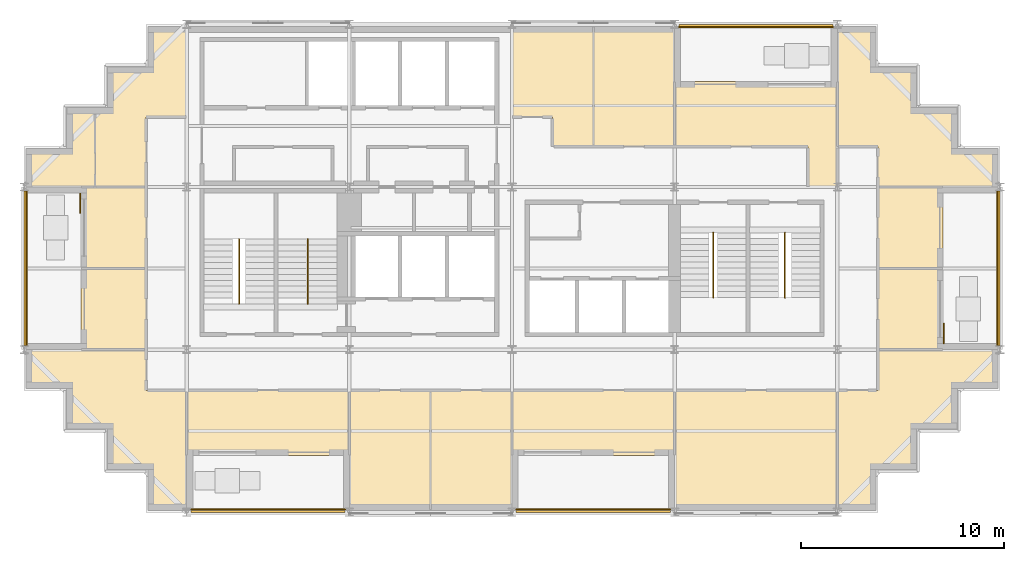
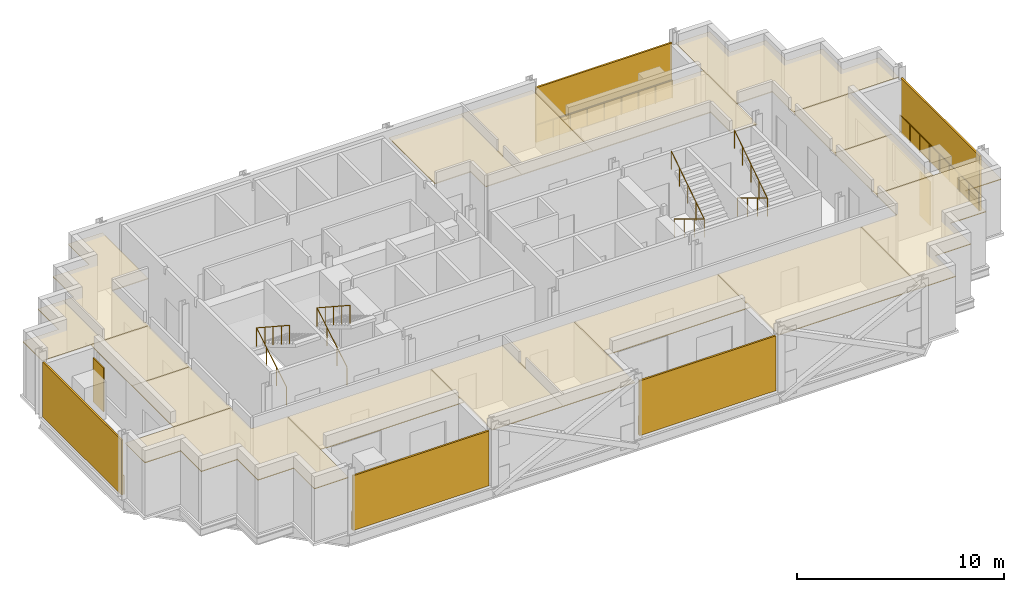
# One storey, part 9 of 10: 17 coverings, 9 railings, 7 shading devices.
"""IFC4 building model written with IfcOpenShell, lengths in metres."""

from ifc_helpers import new_model, si_unit, direction, frame, origin, origin_2d, place, context, subcontext, project, spatial, polyline, rectangle, circle, outline, extrude, material, layer, layer_set, type_object, element, save


model = new_model("IFC4")

# Units and contexts
model_context = context("Model", 3, precision=1e-05, world=origin(), true_north=direction((0.0, 1.0)))
body_context = subcontext(model_context, "Body", "Model", "MODEL_VIEW")
ifc_project = project(units=[si_unit("LENGTHUNIT", "METRE"), si_unit("AREAUNIT", "SQUARE_METRE"), si_unit("VOLUMEUNIT", "CUBIC_METRE"), si_unit("PLANEANGLEUNIT", "RADIAN"), si_unit("MASSUNIT", "GRAM", prefix="KILO")], contexts=[model_context])

# Site, building, storey
site_placement = place(None, origin())
site = spatial("IfcSite", under=ifc_project, at=site_placement, CompositionType="ELEMENT")
building_placement = place(site_placement, origin())
building = spatial("IfcBuilding", under=site, at=building_placement, Name="Immortelle Media Tower", CompositionType="ELEMENT")
storey_placement = place(building_placement, frame((0.0, 0.0, 217.0)))
storey = spatial("IfcBuildingStorey", under=building, at=storey_placement, Name="L46", CompositionType="ELEMENT", Elevation=217.0)

# Railings
ifc_material_1 = material(Name="Powder-coated aluminium fretwork panel, laminated glass backing", Category="aluminium")
railing_type_1 = type_object("IfcRailingType", Name="Fretwork balustrade 1100", PredefinedType="BALUSTRADE", material=ifc_material_1)
railing_1_placement = place(storey_placement, frame((8.199462890625, 0.139892578125, 0.0)))
element("IfcRailing", 1, at=railing_1_placement, inside=storey, type_object=railing_type_1, Name="Fretwork balustrade L46 S0", PredefinedType="BALUSTRADE", context=body_context, shape_type="SweptSolid", body=[
    extrude(circle(Radius=0.02490234375, at=origin_2d()), frame((0.0, 0.0, 1.0751953125), z_axis=(1.0, 0.0, 0.0), x_axis=(0.0, 1.0, 0.0)), (0.0, 0.0, 1.0), 7.59765625),
    extrude(circle(Radius=0.02001953125, at=origin_2d()), origin(), (0.0, 0.0, 1.0), 1.050048828125),
    extrude(circle(Radius=0.02001953125, at=origin_2d()), frame((0.94970703125, 0.0, 0.0)), (0.0, 0.0, 1.0), 1.050048828125),
    extrude(circle(Radius=0.02001953125, at=origin_2d()), frame((1.8994140625, 0.0, 0.0)), (0.0, 0.0, 1.0), 1.050048828125),
    extrude(circle(Radius=0.02001953125, at=origin_2d()), frame((2.84912109375, 0.0, 0.0)), (0.0, 0.0, 1.0), 1.050048828125),
    extrude(circle(Radius=0.02001953125, at=origin_2d()), frame((3.798828125, 0.0, 0.0)), (0.0, 0.0, 1.0), 1.050048828125),
    extrude(circle(Radius=0.02001953125, at=origin_2d()), frame((4.74853515625, 0.0, 0.0)), (0.0, 0.0, 1.0), 1.050048828125),
    extrude(circle(Radius=0.02001953125, at=origin_2d()), frame((5.6982421875, 0.0, 0.0)), (0.0, 0.0, 1.0), 1.050048828125),
    extrude(circle(Radius=0.02001953125, at=origin_2d()), frame((6.64794921875, 0.0, 0.0)), (0.0, 0.0, 1.0), 1.050048828125),
    extrude(circle(Radius=0.02001953125, at=origin_2d()), frame((7.59765625, 0.0, 0.0)), (0.0, 0.0, 1.0), 1.050048828125),
])
railing_2_placement = place(storey_placement, frame((24.202880859375, 0.139892578125, 0.0)))
element("IfcRailing", 2, at=railing_2_placement, inside=storey, type_object=railing_type_1, Name="Fretwork balustrade L46 S2", PredefinedType="BALUSTRADE", context=body_context, shape_type="SweptSolid", body=[
    extrude(circle(Radius=0.02490234375, at=origin_2d()), frame((0.0, 0.0, 1.0751953125), z_axis=(1.0, 0.0, 0.0), x_axis=(0.0, 1.0, 0.0)), (0.0, 0.0, 1.0), 7.59423828125),
    extrude(circle(Radius=0.02001953125, at=origin_2d()), origin(), (0.0, 0.0, 1.0), 1.050048828125),
    extrude(circle(Radius=0.02001953125, at=origin_2d()), frame((0.94921875, 0.0, 0.0)), (0.0, 0.0, 1.0), 1.050048828125),
    extrude(circle(Radius=0.02001953125, at=origin_2d()), frame((1.8984375, 0.0, 0.0)), (0.0, 0.0, 1.0), 1.050048828125),
    extrude(circle(Radius=0.02001953125, at=origin_2d()), frame((2.847900390625, 0.0, 0.0)), (0.0, 0.0, 1.0), 1.050048828125),
    extrude(circle(Radius=0.02001953125, at=origin_2d()), frame((3.797119140625, 0.0, 0.0)), (0.0, 0.0, 1.0), 1.050048828125),
    extrude(circle(Radius=0.02001953125, at=origin_2d()), frame((4.746337890625, 0.0, 0.0)), (0.0, 0.0, 1.0), 1.050048828125),
    extrude(circle(Radius=0.02001953125, at=origin_2d()), frame((5.69580078125, 0.0, 0.0)), (0.0, 0.0, 1.0), 1.050048828125),
    extrude(circle(Radius=0.02001953125, at=origin_2d()), frame((6.64501953125, 0.0, 0.0)), (0.0, 0.0, 1.0), 1.050048828125),
    extrude(circle(Radius=0.02001953125, at=origin_2d()), frame((7.59423828125, 0.0, 0.0)), (0.0, 0.0, 1.0), 1.050048828125),
])
railing_3_placement = place(storey_placement, frame((47.860107421875, 8.193115234375, 0.0)))
element("IfcRailing", 3, at=railing_3_placement, inside=storey, type_object=railing_type_1, Name="Fretwork balustrade L46 E0", PredefinedType="BALUSTRADE", context=body_context, shape_type="SweptSolid", body=[
    extrude(circle(Radius=0.02490234375, at=origin_2d()), frame((0.0, 0.0, 1.0751953125), z_axis=(0.0, 1.0, 0.0), x_axis=(-1.0, 0.0, 0.0)), (0.0, 0.0, 1.0), 7.61376953125),
    extrude(circle(Radius=0.02001953125, at=origin_2d()), origin(), (0.0, 0.0, 1.0), 1.050048828125),
    extrude(circle(Radius=0.02001953125, at=origin_2d()), frame((0.0, 0.95166015625, 0.0)), (0.0, 0.0, 1.0), 1.050048828125),
    extrude(circle(Radius=0.02001953125, at=origin_2d()), frame((0.0, 1.9033203125, 0.0)), (0.0, 0.0, 1.0), 1.050048828125),
    extrude(circle(Radius=0.02001953125, at=origin_2d()), frame((0.0, 2.855224609375, 0.0)), (0.0, 0.0, 1.0), 1.050048828125),
    extrude(circle(Radius=0.02001953125, at=origin_2d()), frame((0.0, 3.806884765625, 0.0)), (0.0, 0.0, 1.0), 1.050048828125),
    extrude(circle(Radius=0.02001953125, at=origin_2d()), frame((0.0, 4.758544921875, 0.0)), (0.0, 0.0, 1.0), 1.050048828125),
    extrude(circle(Radius=0.02001953125, at=origin_2d()), frame((0.0, 5.71044921875, 0.0)), (0.0, 0.0, 1.0), 1.050048828125),
    extrude(circle(Radius=0.02001953125, at=origin_2d()), frame((0.0, 6.662109375, 0.0)), (0.0, 0.0, 1.0), 1.050048828125),
    extrude(circle(Radius=0.02001953125, at=origin_2d()), frame((0.0, 7.61376953125, 0.0)), (0.0, 0.0, 1.0), 1.050048828125),
])
railing_4_placement = place(storey_placement, frame((39.800537109375, 23.860107421875, 0.0)))
element("IfcRailing", 4, at=railing_4_placement, inside=storey, type_object=railing_type_1, Name="Fretwork balustrade L46 N0", PredefinedType="BALUSTRADE", context=body_context, shape_type="SweptSolid", body=[
    extrude(circle(Radius=0.02490234375, at=origin_2d()), frame((0.0, 0.0, 1.0751953125), z_axis=(-1.0, 0.0, 0.0), x_axis=(0.0, -1.0, 0.0)), (0.0, 0.0, 1.0), 7.59765625),
    extrude(circle(Radius=0.02001953125, at=origin_2d()), origin(), (0.0, 0.0, 1.0), 1.050048828125),
    extrude(circle(Radius=0.02001953125, at=origin_2d()), frame((-0.94970703125, 0.0, 0.0)), (0.0, 0.0, 1.0), 1.050048828125),
    extrude(circle(Radius=0.02001953125, at=origin_2d()), frame((-1.8994140625, 0.0, 0.0)), (0.0, 0.0, 1.0), 1.050048828125),
    extrude(circle(Radius=0.02001953125, at=origin_2d()), frame((-2.84912109375, 0.0, 0.0)), (0.0, 0.0, 1.0), 1.050048828125),
    extrude(circle(Radius=0.02001953125, at=origin_2d()), frame((-3.798828125, 0.0, 0.0)), (0.0, 0.0, 1.0), 1.050048828125),
    extrude(circle(Radius=0.02001953125, at=origin_2d()), frame((-4.74853515625, 0.0, 0.0)), (0.0, 0.0, 1.0), 1.050048828125),
    extrude(circle(Radius=0.02001953125, at=origin_2d()), frame((-5.6982421875, 0.0, 0.0)), (0.0, 0.0, 1.0), 1.050048828125),
    extrude(circle(Radius=0.02001953125, at=origin_2d()), frame((-6.64794921875, 0.0, 0.0)), (0.0, 0.0, 1.0), 1.050048828125),
    extrude(circle(Radius=0.02001953125, at=origin_2d()), frame((-7.59765625, 0.0, 0.0)), (0.0, 0.0, 1.0), 1.050048828125),
])
railing_5_placement = place(storey_placement, frame((0.139892578125, 15.806884765625, 0.0)))
element("IfcRailing", 5, at=railing_5_placement, inside=storey, type_object=railing_type_1, Name="Fretwork balustrade L46 W0", PredefinedType="BALUSTRADE", context=body_context, shape_type="SweptSolid", body=[
    extrude(circle(Radius=0.02490234375, at=origin_2d()), frame((0.0, 0.0, 1.0751953125), z_axis=(0.0, -1.0, 0.0), x_axis=(1.0, 0.0, 0.0)), (0.0, 0.0, 1.0), 7.61376953125),
    extrude(circle(Radius=0.02001953125, at=origin_2d()), origin(), (0.0, 0.0, 1.0), 1.050048828125),
    extrude(circle(Radius=0.02001953125, at=origin_2d()), frame((0.0, -0.95166015625, 0.0)), (0.0, 0.0, 1.0), 1.050048828125),
    extrude(circle(Radius=0.02001953125, at=origin_2d()), frame((0.0, -1.9033203125, 0.0)), (0.0, 0.0, 1.0), 1.050048828125),
    extrude(circle(Radius=0.02001953125, at=origin_2d()), frame((0.0, -2.855224609375, 0.0)), (0.0, 0.0, 1.0), 1.050048828125),
    extrude(circle(Radius=0.02001953125, at=origin_2d()), frame((0.0, -3.806884765625, 0.0)), (0.0, 0.0, 1.0), 1.050048828125),
    extrude(circle(Radius=0.02001953125, at=origin_2d()), frame((0.0, -4.758544921875, 0.0)), (0.0, 0.0, 1.0), 1.050048828125),
    extrude(circle(Radius=0.02001953125, at=origin_2d()), frame((0.0, -5.71044921875, 0.0)), (0.0, 0.0, 1.0), 1.050048828125),
    extrude(circle(Radius=0.02001953125, at=origin_2d()), frame((0.0, -6.662109375, 0.0)), (0.0, 0.0, 1.0), 1.050048828125),
    extrude(circle(Radius=0.02001953125, at=origin_2d()), frame((0.0, -7.61376953125, 0.0)), (0.0, 0.0, 1.0), 1.050048828125),
])

# Shading devices
ifc_material_2 = material(Name="Pale aluminium louvre blades", Category="aluminium")
ifc_layer_1 = layer(ifc_material_2, 0.10009765625)
ifc_layer_set_1 = layer_set([ifc_layer_1], Name="Pale aluminium louvre blades")
shading_device_type_1 = type_object("IfcShadingDeviceType", Name="Jalousie screen 100", PredefinedType="JALOUSIE", material=ifc_layer_set_1)
shading_device_1_placement = place(storey_placement, frame((11.998291015625, 0.050048828125, 0.0), z_axis=(0.0, 0.0, 1.0), x_axis=(1.0, 0.0, 0.0)))
element("IfcShadingDevice", 6, at=shading_device_1_placement, inside=storey, type_object=shading_device_type_1, Name="Jalousie screen L46 S0", PredefinedType="JALOUSIE", context=body_context, shape_type="SweptSolid", body=[
    extrude(rectangle(XDim=7.597412109375, YDim=0.10009765625, at=origin_2d()), origin(), (0.0, 0.0, 1.0), 3.238037109375),
])
shading_device_2_placement = place(storey_placement, frame((28.0, 0.050048828125, 0.0), z_axis=(0.0, 0.0, 1.0), x_axis=(1.0, 0.0, 0.0)))
element("IfcShadingDevice", 7, at=shading_device_2_placement, inside=storey, type_object=shading_device_type_1, Name="Jalousie screen L46 S2", PredefinedType="JALOUSIE", context=body_context, shape_type="SweptSolid", body=[
    extrude(rectangle(XDim=7.593994140625, YDim=0.10009765625, at=origin_2d()), origin(), (0.0, 0.0, 1.0), 3.238037109375),
])
shading_device_3_placement = place(storey_placement, frame((47.949951171875, 12.0, 0.0), z_axis=(0.0, 0.0, 1.0), x_axis=(0.0, 1.0, 0.0)))
element("IfcShadingDevice", 8, at=shading_device_3_placement, inside=storey, type_object=shading_device_type_1, Name="Jalousie screen L46 E0", PredefinedType="JALOUSIE", context=body_context, shape_type="SweptSolid", body=[
    extrude(rectangle(XDim=7.614013671875, YDim=0.10009765625, at=origin_2d()), origin(), (0.0, 0.0, 1.0), 3.238037109375),
])
shading_device_4_placement = place(storey_placement, frame((36.001708984375, 23.949951171875, 0.0), z_axis=(0.0, 0.0, 1.0), x_axis=(-1.0, 0.0, 0.0)))
element("IfcShadingDevice", 9, at=shading_device_4_placement, inside=storey, type_object=shading_device_type_1, Name="Jalousie screen L46 N0", PredefinedType="JALOUSIE", context=body_context, shape_type="SweptSolid", body=[
    extrude(rectangle(XDim=7.597412109375, YDim=0.10009765625, at=origin_2d()), origin(), (0.0, 0.0, 1.0), 3.238037109375),
])
shading_device_5_placement = place(storey_placement, frame((0.050048828125, 12.0, 0.0), z_axis=(0.0, 0.0, 1.0), x_axis=(0.0, -1.0, 0.0)))
element("IfcShadingDevice", 10, at=shading_device_5_placement, inside=storey, type_object=shading_device_type_1, Name="Jalousie screen L46 W0", PredefinedType="JALOUSIE", context=body_context, shape_type="SweptSolid", body=[
    extrude(rectangle(XDim=7.614013671875, YDim=0.10009765625, at=origin_2d()), origin(), (0.0, 0.0, 1.0), 3.238037109375),
])
ifc_material_3 = material(Name="Pale aluminium louvre blades in a folding frame", Category="aluminium")
ifc_layer_2 = layer(ifc_material_3, 0.050048828125)
ifc_layer_set_2 = layer_set([ifc_layer_2], Name="Pale aluminium louvre blades in a folding frame")
shading_device_type_2 = type_object("IfcShadingDeviceType", Name="Louvred loggia shutter", PredefinedType="SHUTTER", material=ifc_layer_set_2)
for number, where, z_axis, x_axis, name in (
    (11, (45.22509765625, 8.800048828125, 0.0), (0.0, 0.0, 1.0), (0.0, 1.0, 0.0), "Loggia shutter L46 E0"),
    (12, (2.77490234375, 15.199951171875, 0.0), (0.0, 0.0, 1.0), (0.0, -1.0, 0.0), "Loggia shutter L46 W0"),
):
    element("IfcShadingDevice", number, at=place(storey_placement, frame(where, z_axis=z_axis, x_axis=x_axis)), inside=storey, type_object=shading_device_type_2, Name=name, PredefinedType="SHUTTER", context=body_context, shape_type="SweptSolid", body=[
        extrude(rectangle(XDim=1.0, YDim=0.050048828125, at=origin_2d()), origin(), (0.0, 0.0, 1.0), 2.60009765625),
    ])

# Railings
ifc_material_4 = material(Name="Stainless steel AISI 316", Category="steel")
railing_type_2 = type_object("IfcRailingType", Name="Stair guard 1100", PredefinedType="GUARDRAIL", material=ifc_material_4)
for number, where, name in (
    (13, (10.574951171875, 10.5400390625, 0.173828125), "Stair guard SW1"),
    (14, (13.949951171875, 10.5400390625, 0.173828125), "Stair guard SW2"),
):
    element("IfcRailing", number, at=place(storey_placement, frame(where)), inside=storey, type_object=railing_type_2, Name=name, PredefinedType="GUARDRAIL", context=body_context, shape_type="SweptSolid", body=[
        extrude(circle(Radius=0.02392578125, at=origin_2d()), frame((0.0, 0.0, 1.076171875), z_axis=(0.0, 0.857582100076, 0.514347102285), x_axis=(-1.0, 0.0, 0.0)), (0.0, 0.0, 1.0), 3.381591796875),
        extrude(circle(Radius=0.02392578125, at=origin_2d()), frame((0.0, 2.89990234375, 2.8154296875), z_axis=(0.0, -0.836827423118, 0.547466769693), x_axis=(1.0, 0.0, 0.0)), (0.0, 0.0, 1.0), 3.81201171875),
        extrude(circle(Radius=0.02099609375, at=origin_2d()), origin(), (0.0, 0.0, 1.0), 1.052001953125),
        extrude(circle(Radius=0.02099609375, at=origin_2d()), frame((0.0, 0.966552734375, 0.579833984375)), (0.0, 0.0, 1.0), 1.052001953125),
        extrude(circle(Radius=0.02099609375, at=origin_2d()), frame((0.0, 1.933349609375, 1.159423828125)), (0.0, 0.0, 1.0), 1.052001953125),
        extrude(circle(Radius=0.02099609375, at=origin_2d()), frame((0.0, 2.89990234375, 1.7392578125)), (0.0, 0.0, 1.0), 1.052001953125),
        extrude(circle(Radius=0.02099609375, at=origin_2d()), frame((0.0, 2.1025390625, 2.260986328125)), (0.0, 0.0, 1.0), 1.052001953125),
        extrude(circle(Radius=0.02099609375, at=origin_2d()), frame((0.0, 1.304931640625, 2.78271484375)), (0.0, 0.0, 1.0), 1.052001953125),
        extrude(circle(Radius=0.02099609375, at=origin_2d()), frame((0.0, 0.50732421875, 3.304443359375)), (0.0, 0.0, 1.0), 1.052001953125),
        extrude(circle(Radius=0.02099609375, at=origin_2d()), frame((0.0, -0.2900390625, 3.826171875)), (0.0, 0.0, 1.0), 1.052001953125),
    ])
for number, where, name in (
    (15, (33.89990234375, 13.4599609375, 0.173828125), "Stair guard SE1"),
    (16, (37.425048828125, 13.4599609375, 0.173828125), "Stair guard SE2"),
):
    element("IfcRailing", number, at=place(storey_placement, frame(where)), inside=storey, type_object=railing_type_2, Name=name, PredefinedType="GUARDRAIL", context=body_context, shape_type="SweptSolid", body=[
        extrude(circle(Radius=0.02392578125, at=origin_2d()), frame((0.0, 0.0, 1.076171875), z_axis=(0.0, -0.857582100076, 0.514347102285), x_axis=(1.0, 0.0, 0.0)), (0.0, 0.0, 1.0), 3.381591796875),
        extrude(circle(Radius=0.02392578125, at=origin_2d()), frame((0.0, -2.89990234375, 2.8154296875), z_axis=(0.0, 0.836827423118, 0.547466769693), x_axis=(-1.0, 0.0, 0.0)), (0.0, 0.0, 1.0), 3.81201171875),
        extrude(circle(Radius=0.02099609375, at=origin_2d()), origin(), (0.0, 0.0, 1.0), 1.052001953125),
        extrude(circle(Radius=0.02099609375, at=origin_2d()), frame((0.0, -0.966552734375, 0.579833984375)), (0.0, 0.0, 1.0), 1.052001953125),
        extrude(circle(Radius=0.02099609375, at=origin_2d()), frame((0.0, -1.933349609375, 1.159423828125)), (0.0, 0.0, 1.0), 1.052001953125),
        extrude(circle(Radius=0.02099609375, at=origin_2d()), frame((0.0, -2.89990234375, 1.7392578125)), (0.0, 0.0, 1.0), 1.052001953125),
        extrude(circle(Radius=0.02099609375, at=origin_2d()), frame((0.0, -2.1025390625, 2.260986328125)), (0.0, 0.0, 1.0), 1.052001953125),
        extrude(circle(Radius=0.02099609375, at=origin_2d()), frame((0.0, -1.304931640625, 2.78271484375)), (0.0, 0.0, 1.0), 1.052001953125),
        extrude(circle(Radius=0.02099609375, at=origin_2d()), frame((0.0, -0.50732421875, 3.304443359375)), (0.0, 0.0, 1.0), 1.052001953125),
        extrude(circle(Radius=0.02099609375, at=origin_2d()), frame((0.0, 0.2900390625, 3.826171875)), (0.0, 0.0, 1.0), 1.052001953125),
    ])

# Coverings
ifc_material_5 = material(Name="Mineral fibre tile ceiling")
ifc_layer_3 = layer(ifc_material_5, 0.050048828125)
ifc_layer_set_3 = layer_set([ifc_layer_3], Name="Mineral fibre tile ceiling")
covering_type = type_object("IfcCoveringType", Name="Suspended ceiling 50", PredefinedType="CEILING", material=ifc_layer_set_3)
covering_1_placement = place(storey_placement, frame((0.0, 0.0, 3.1220703125)))
element("IfcCovering", 17, at=covering_1_placement, inside=storey, type_object=covering_type, Name="Ceiling L46-001", PredefinedType="CEILING", context=body_context, shape_type="SweptSolid", body=[
    extrude(outline(polyline([(16.0, 2.800048828125), (16.0, 6.0), (20.0, 6.0), (20.0, 0.10009765625), (16.0, 0.10009765625), (16.0, 2.800048828125)])), origin(), (0.0, 0.0, 1.0), 0.050048828125),
])
covering_2_placement = place(storey_placement, frame((0.0, 0.0, 3.1220703125)))
element("IfcCovering", 18, at=covering_2_placement, inside=storey, type_object=covering_type, Name="Ceiling L46-002", PredefinedType="CEILING", context=body_context, shape_type="SweptSolid", body=[
    extrude(outline(polyline([(24.0, 6.0), (24.0, 2.800048828125), (24.0, 0.10009765625), (20.0, 0.10009765625), (20.0, 6.0), (24.0, 6.0)])), origin(), (0.0, 0.0, 1.0), 0.050048828125),
])
covering_3_placement = place(storey_placement, frame((0.0, 0.0, 3.1220703125)))
element("IfcCovering", 19, at=covering_3_placement, inside=storey, type_object=covering_type, Name="Ceiling L46-003", PredefinedType="CEILING", context=body_context, shape_type="SweptSolid", body=[
    extrude(outline(polyline([(32.0, 0.10009765625), (32.0, 2.800048828125), (32.0, 6.0), (40.0, 6.0), (40.0, 0.10009765625), (32.0, 0.10009765625)])), origin(), (0.0, 0.0, 1.0), 0.050048828125),
])
covering_4_placement = place(storey_placement, frame((0.0, 0.0, 3.1220703125)))
element("IfcCovering", 20, at=covering_4_placement, inside=storey, type_object=covering_type, Name="Ceiling L46-004", PredefinedType="CEILING", context=body_context, shape_type="SweptSolid", body=[
    extrude(outline(polyline([(8.0, 2.800048828125), (8.0, 6.0), (16.0, 6.0), (16.0, 2.800048828125), (8.0, 2.800048828125)])), origin(), (0.0, 0.0, 1.0), 0.050048828125),
])
covering_5_placement = place(storey_placement, frame((0.0, 0.0, 3.1220703125)))
element("IfcCovering", 21, at=covering_5_placement, inside=storey, type_object=covering_type, Name="Ceiling L46-005", PredefinedType="CEILING", context=body_context, shape_type="SweptSolid", body=[
    extrude(outline(polyline([(24.0, 2.800048828125), (24.0, 6.0), (26.0, 6.0), (32.0, 6.0), (32.0, 2.800048828125), (24.0, 2.800048828125)])), origin(), (0.0, 0.0, 1.0), 0.050048828125),
])
covering_6_placement = place(storey_placement, frame((0.0, 0.0, 3.1220703125)))
element("IfcCovering", 22, at=covering_6_placement, inside=storey, type_object=covering_type, Name="Ceiling L46-006", PredefinedType="CEILING", context=body_context, shape_type="SweptSolid", body=[
    extrude(outline(polyline([(6.10009765625, 0.10009765625), (6.10009765625, 2.10009765625), (4.10009765625, 2.10009765625), (4.10009765625, 4.10009765625), (2.10009765625, 4.10009765625), (2.10009765625, 6.10009765625), (0.10009765625, 6.10009765625), (0.10009765625, 8.0), (2.800048828125, 8.0), (6.0, 8.0), (6.0, 6.0), (8.0, 6.0), (8.0, 2.800048828125), (8.0, 0.10009765625), (6.10009765625, 0.10009765625)])), origin(), (0.0, 0.0, 1.0), 0.050048828125),
])
covering_7_placement = place(storey_placement, frame((0.0, 0.0, 3.1220703125)))
element("IfcCovering", 23, at=covering_7_placement, inside=storey, type_object=covering_type, Name="Ceiling L46-007", PredefinedType="CEILING", context=body_context, shape_type="SweptSolid", body=[
    extrude(outline(polyline([(43.89990234375, 2.10009765625), (41.89990234375, 2.10009765625), (41.89990234375, 0.10009765625), (40.0, 0.10009765625), (40.0, 6.0), (42.0, 6.0), (42.0, 8.0), (44.0, 8.0), (45.199951171875, 8.0), (47.89990234375, 8.0), (47.89990234375, 6.10009765625), (45.89990234375, 6.10009765625), (45.89990234375, 4.10009765625), (44.0, 4.10009765625), (43.89990234375, 4.10009765625), (43.89990234375, 2.10009765625)])), origin(), (0.0, 0.0, 1.0), 0.050048828125),
])
covering_8_placement = place(storey_placement, frame((0.0, 0.0, 3.1220703125)))
element("IfcCovering", 24, at=covering_8_placement, inside=storey, type_object=covering_type, Name="Ceiling L46-008", PredefinedType="CEILING", context=body_context, shape_type="SweptSolid", body=[
    extrude(outline(polyline([(2.800048828125, 8.0), (2.800048828125, 12.0), (6.0, 12.0), (6.0, 8.0), (2.800048828125, 8.0)])), origin(), (0.0, 0.0, 1.0), 0.050048828125),
])
covering_9_placement = place(storey_placement, frame((0.0, 0.0, 3.1220703125)))
element("IfcCovering", 25, at=covering_9_placement, inside=storey, type_object=covering_type, Name="Ceiling L46-009", PredefinedType="CEILING", context=body_context, shape_type="SweptSolid", body=[
    extrude(outline(polyline([(2.800048828125, 16.0), (6.0, 16.0), (6.0, 12.0), (2.800048828125, 12.0), (2.800048828125, 16.0)])), origin(), (0.0, 0.0, 1.0), 0.050048828125),
])
covering_10_placement = place(storey_placement, frame((0.0, 0.0, 3.1220703125)))
element("IfcCovering", 26, at=covering_10_placement, inside=storey, type_object=covering_type, Name="Ceiling L46-010", PredefinedType="CEILING", context=body_context, shape_type="SweptSolid", body=[
    extrude(outline(polyline([(42.0, 8.0), (42.0, 12.0), (45.199951171875, 12.0), (45.199951171875, 8.0), (42.0, 8.0)])), origin(), (0.0, 0.0, 1.0), 0.050048828125),
])
covering_11_placement = place(storey_placement, frame((0.0, 0.0, 3.1220703125)))
element("IfcCovering", 27, at=covering_11_placement, inside=storey, type_object=covering_type, Name="Ceiling L46-011", PredefinedType="CEILING", context=body_context, shape_type="SweptSolid", body=[
    extrude(outline(polyline([(42.0, 16.0), (45.199951171875, 16.0), (45.199951171875, 12.0), (42.0, 12.0), (42.0, 16.0)])), origin(), (0.0, 0.0, 1.0), 0.050048828125),
])
covering_12_placement = place(storey_placement, frame((0.0, 0.0, 3.1220703125)))
element("IfcCovering", 28, at=covering_12_placement, inside=storey, type_object=covering_type, Name="Ceiling L46-012", PredefinedType="CEILING", context=body_context, shape_type="SweptSolid", body=[
    extrude(outline(polyline([(6.0, 16.0), (3.5, 16.0), (3.5, 19.89990234375), (4.10009765625, 19.89990234375), (4.10009765625, 21.89990234375), (6.10009765625, 21.89990234375), (6.10009765625, 23.89990234375), (8.0, 23.89990234375), (8.0, 19.449951171875), (6.0, 19.449951171875), (6.0, 16.0)])), origin(), (0.0, 0.0, 1.0), 0.050048828125),
])
covering_13_placement = place(storey_placement, frame((0.0, 0.0, 3.1220703125)))
element("IfcCovering", 29, at=covering_13_placement, inside=storey, type_object=covering_type, Name="Ceiling L46-013", PredefinedType="CEILING", context=body_context, shape_type="SweptSolid", body=[
    extrude(outline(polyline([(2.800048828125, 16.0), (0.10009765625, 16.0), (0.10009765625, 17.89990234375), (2.10009765625, 17.89990234375), (2.10009765625, 19.89990234375), (3.5, 19.89990234375), (3.5, 16.0), (2.800048828125, 16.0)])), origin(), (0.0, 0.0, 1.0), 0.050048828125),
])
covering_14_placement = place(storey_placement, frame((0.0, 0.0, 3.1220703125)))
element("IfcCovering", 30, at=covering_14_placement, inside=storey, type_object=covering_type, Name="Ceiling L46-014", PredefinedType="CEILING", context=body_context, shape_type="SweptSolid", body=[
    extrude(outline(polyline([(45.89990234375, 19.89990234375), (45.89990234375, 17.89990234375), (47.89990234375, 17.89990234375), (47.89990234375, 16.0), (45.199951171875, 16.0), (44.0, 16.0), (42.0, 16.0), (42.0, 18.0), (40.0, 18.0), (40.0, 21.199951171875), (40.0, 23.89990234375), (41.89990234375, 23.89990234375), (41.89990234375, 21.89990234375), (43.89990234375, 21.89990234375), (43.89990234375, 19.89990234375), (44.0, 19.89990234375), (45.89990234375, 19.89990234375)])), origin(), (0.0, 0.0, 1.0), 0.050048828125),
])
covering_15_placement = place(storey_placement, frame((0.0, 0.0, 3.1220703125)))
element("IfcCovering", 31, at=covering_15_placement, inside=storey, type_object=covering_type, Name="Ceiling L46-015", PredefinedType="CEILING", context=body_context, shape_type="SweptSolid", body=[
    extrude(outline(polyline([(38.550048828125, 16.0), (38.550048828125, 18.0), (32.0, 18.0), (32.0, 21.199951171875), (40.0, 21.199951171875), (40.0, 18.0), (40.0, 16.0), (38.550048828125, 16.0)])), origin(), (0.0, 0.0, 1.0), 0.050048828125),
])
covering_16_placement = place(storey_placement, frame((0.0, 0.0, 3.1220703125)))
element("IfcCovering", 32, at=covering_16_placement, inside=storey, type_object=covering_type, Name="Ceiling L46-016", PredefinedType="CEILING", context=body_context, shape_type="SweptSolid", body=[
    extrude(outline(polyline([(26.0, 18.0), (26.0, 19.449951171875), (24.0, 19.449951171875), (24.0, 21.199951171875), (24.0, 23.89990234375), (28.0, 23.89990234375), (28.0, 18.0), (27.0, 18.0), (26.0, 18.0)])), origin(), (0.0, 0.0, 1.0), 0.050048828125),
])
covering_17_placement = place(storey_placement, frame((0.0, 0.0, 3.1220703125)))
element("IfcCovering", 33, at=covering_17_placement, inside=storey, type_object=covering_type, Name="Ceiling L46-017", PredefinedType="CEILING", context=body_context, shape_type="SweptSolid", body=[
    extrude(outline(polyline([(32.0, 23.89990234375), (32.0, 21.199951171875), (32.0, 18.0), (28.0, 18.0), (28.0, 23.89990234375), (32.0, 23.89990234375)])), origin(), (0.0, 0.0, 1.0), 0.050048828125),
])

save(model, "model.ifc")
